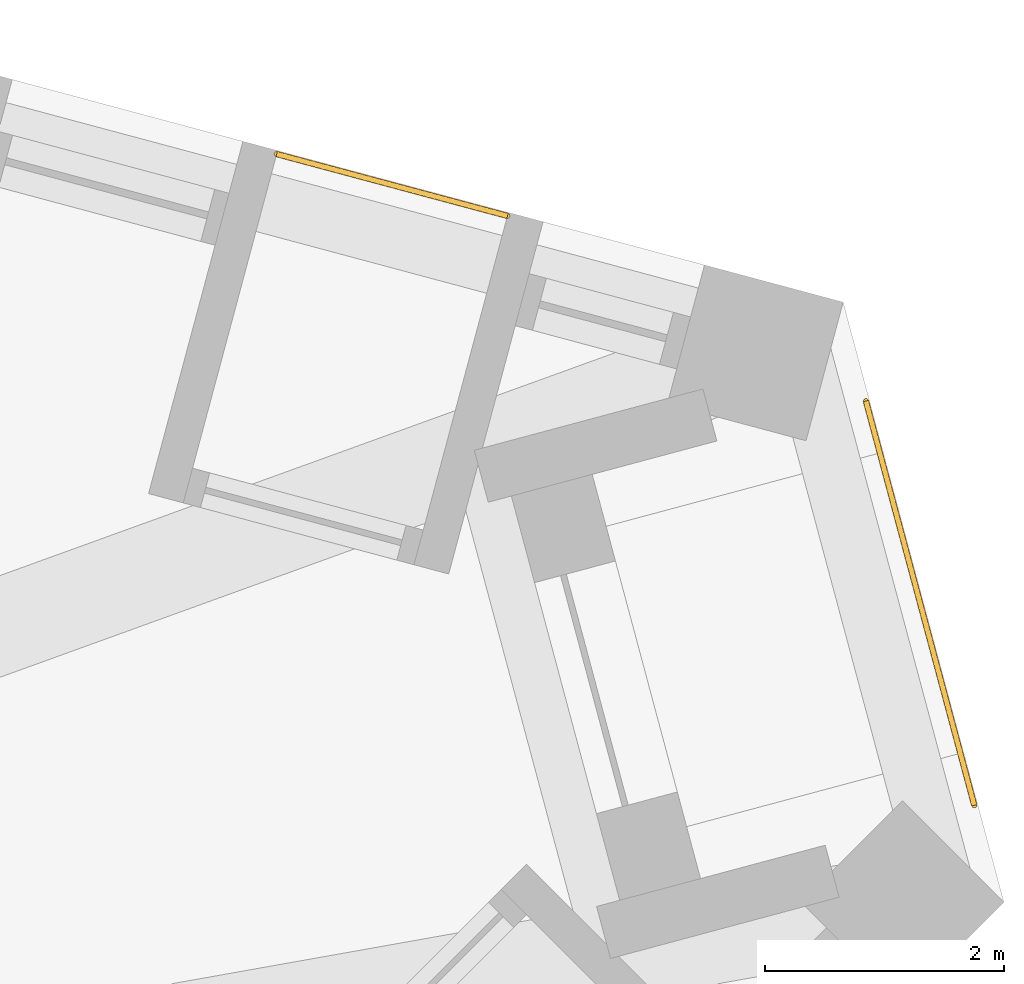
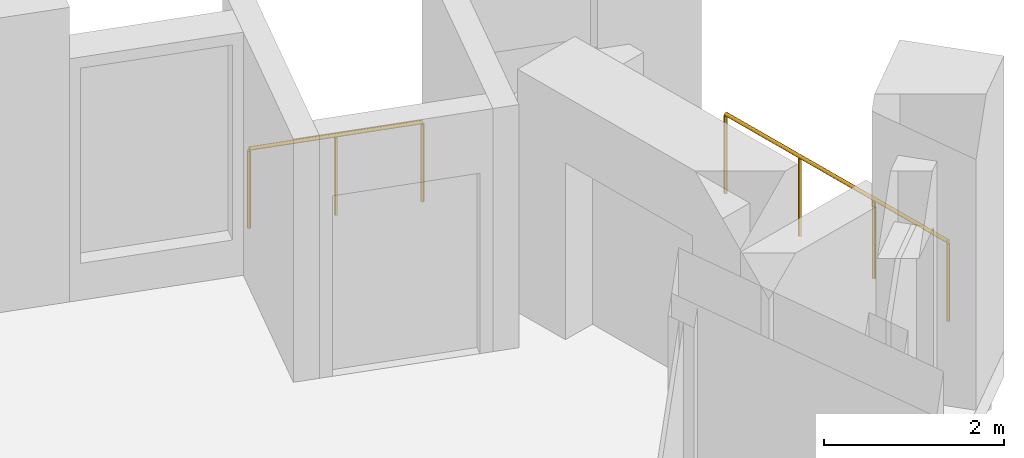
# One storey, part 13 of 13: 2 railings.
"""IFC4 building model written with IfcOpenShell, lengths in metres."""

import ifcopenshell
import ifcopenshell.guid

model = None  # the IFC model being written
_history = None  # IfcOwnerHistory: only IFC2X3 demands one
_inside = {}  # id of a spatial element -> (the spatial element, [elements in it])
_under = {}  # id of a project, library or spatial element -> (it, [spatial elements below it])
_declared = {}  # id of a project -> (the project, [libraries it declares])
_typed = {}  # id of a type object -> (the type object, [elements of that type])
_made_of = {}  # id of a material, layer set ... -> (it, [elements and type objects made of it])


def new_model(schema):
    """Start an empty IFC model of exactly this schema.

    Asked for "IFC4X3", IfcOpenShell would pick the latest addendum, in which some entities
    have other attributes; the version numbers below select the first issue.
    IFC2X3 requires an IfcOwnerHistory on every rooted entity: one is made here for all.
    """
    global model, _history
    if schema == "IFC4X3":
        model = ifcopenshell.file(schema_version=(4, 3, 0, 0))
    else:
        model = ifcopenshell.file(schema=schema)
    _inside.clear()
    _under.clear()
    _declared.clear()
    _typed.clear()
    _made_of.clear()
    _history = None
    if model.schema == "IFC2X3":
        org = make("IfcOrganization", Name="unknown")
        user = make(
            "IfcPersonAndOrganization",
            ThePerson=make("IfcPerson", FamilyName="unknown"),
            TheOrganization=org,
        )
        app = make(
            "IfcApplication",
            ApplicationDeveloper=org,
            Version="unknown",
            ApplicationFullName="unknown",
            ApplicationIdentifier="unknown",
        )
        _history = make(
            "IfcOwnerHistory",
            OwningUser=user,
            OwningApplication=app,
            ChangeAction="ADDED",
            CreationDate=0,
        )
    return model


def make(cls, **values):
    """One entity of the class cls with the attributes given. An attribute that is None is left unset."""
    return model.create_entity(
        cls, **{name: value for name, value in values.items() if value is not None}
    )


def rooted(cls, **values):
    """An entity with a GlobalId (a new one), such as an element, a storey or a relation."""
    return make(cls, GlobalId=ifcopenshell.guid.new(), OwnerHistory=_history, **values)


def si_unit(unit_type, name, prefix=None):
    """IfcSIUnit, for example si_unit("LENGTHUNIT", "METRE", prefix="MILLI")."""
    return make("IfcSIUnit", UnitType=unit_type, Prefix=prefix, Name=name)


def assignment(units):
    """IfcUnitAssignment: the units of a project."""
    return None if units is None else make("IfcUnitAssignment", Units=units)


def point(xyz):
    """IfcCartesianPoint."""
    return None if xyz is None else make("IfcCartesianPoint", Coordinates=xyz)


def direction(xyz):
    """IfcDirection."""
    return None if xyz is None else make("IfcDirection", DirectionRatios=xyz)


def frame(location, z_axis=None, x_axis=None):
    """IfcAxis2Placement3D, a coordinate frame: its origin and axes. An axis left out is left unset."""
    return make(
        "IfcAxis2Placement3D",
        Location=point(location),
        Axis=direction(z_axis),
        RefDirection=direction(x_axis),
    )


def frame_2d(location, x_axis=None):
    """IfcAxis2Placement2D, a coordinate frame in the plane: its origin and x axis."""
    return make(
        "IfcAxis2Placement2D", Location=point(location), RefDirection=direction(x_axis)
    )


def origin():
    """The frame at (0, 0, 0) with its axes left unset."""
    return frame((0.0, 0.0, 0.0))


def origin_2d():
    """The frame at (0, 0) in the plane with its x axis left unset."""
    return frame_2d((0.0, 0.0))


def place(relative_to, where):
    """IfcLocalPlacement: puts the frame where relative to a parent placement (None: the world)."""
    return make(
        "IfcLocalPlacement", PlacementRelTo=relative_to, RelativePlacement=where
    )


def context(
    kind, dimensions, precision=None, world=None, true_north=None, identifier=None
):
    """IfcGeometricRepresentationContext, for example the 3D "Model" context."""
    return make(
        "IfcGeometricRepresentationContext",
        ContextIdentifier=identifier,
        ContextType=kind,
        CoordinateSpaceDimension=dimensions,
        Precision=precision,
        WorldCoordinateSystem=world,
        TrueNorth=true_north,
    )


def subcontext(parent, identifier, kind, view, scale=None):
    """IfcGeometricRepresentationSubContext, for example "Body" below "Model"."""
    return make(
        "IfcGeometricRepresentationSubContext",
        ContextIdentifier=identifier,
        ContextType=kind,
        ParentContext=parent,
        TargetScale=scale,
        TargetView=view,
    )


def project(units=None, contexts=None):
    """IfcProject with its units and contexts."""
    return rooted(
        "IfcProject",
        Name="project",
        RepresentationContexts=contexts,
        UnitsInContext=assignment(units),
    )


def spatial(cls, under=None, at=None, **own):
    """A site, building, storey or space (cls), placed at a placement, below another one or the project."""
    s = rooted(cls, ObjectPlacement=at, **own)
    if under is not None:
        _under.setdefault(under.id(), (under, []))[1].append(s)
    return s


def profile(cls, at=None, kind="AREA", **sizes):
    """A parametric profile (cls). Its sizes go by their IFC names, for example OverallWidth=200.0."""
    return make(cls, ProfileType=kind, Position=at, **sizes)


def circle(**sizes):
    """IfcCircleProfileDef."""
    return profile("IfcCircleProfileDef", **sizes)


def extrude(swept, where, along, depth):
    """IfcExtrudedAreaSolid: the profile swept, set in the frame where, extruded along a direction by depth."""
    return make(
        "IfcExtrudedAreaSolid",
        SweptArea=swept,
        Position=where,
        ExtrudedDirection=direction(along),
        Depth=depth,
    )


def shape(context_of_items, identifier, shape_type, items):
    """IfcShapeRepresentation: the items that make up one representation, for example the "Body"."""
    return make(
        "IfcShapeRepresentation",
        ContextOfItems=context_of_items,
        RepresentationIdentifier=identifier,
        RepresentationType=shape_type,
        Items=items,
    )


def material(Name=None, Category=None):
    """IfcMaterial."""
    return make("IfcMaterial", Name=Name, Category=Category)


def made_of(thing, what):
    """Note that an element or type object is made of a material, layer set ...; save() writes the relation."""
    if what is not None:
        _made_of.setdefault(what.id(), (what, []))[1].append(thing)
    return thing


def type_object(cls, material=None, **own):
    """A type object (cls), such as IfcWallType, which elements share."""
    return made_of(rooted(cls, **own), material)


def element(
    cls,
    number,
    at=None,
    inside=None,
    cuts=None,
    type_object=None,
    material=None,
    context=None,
    identifier="Body",
    shape_type=None,
    held_by="IfcProductDefinitionShape",
    body=None,
    shapes=None,
    **own,
):
    """One element of the class cls, such as IfcWall. Its Tag is "e" and its number.

    at: its placement. inside: the storey or other place that contains it. cuts: it is an
    opening in that element (IfcRelVoidsElement). A single representation is given by context,
    identifier, shape_type and body (its items); several are given by shapes. held_by: the class
    of the entity that holds the representations. save() writes the other relations.
    """
    e = rooted(cls, Tag="e%d" % number, ObjectPlacement=at, **own)
    if body is not None:
        shapes = [shape(context, identifier, shape_type, body)]
    if shapes is not None:
        e.Representation = make(held_by, Representations=shapes)
    if inside is not None:
        _inside.setdefault(inside.id(), (inside, []))[1].append(e)
    if cuts is not None:
        rooted(
            "IfcRelVoidsElement", RelatingBuildingElement=cuts, RelatedOpeningElement=e
        )
    if type_object is not None:
        _typed.setdefault(type_object.id(), (type_object, []))[1].append(e)
    return made_of(e, material)


def aggregate(whole, parts):
    """IfcRelAggregates: a whole, such as a stair, and the parts it consists of."""
    return rooted("IfcRelAggregates", RelatingObject=whole, RelatedObjects=parts)


def save(model, path):
    """Write the relations noted so far, then the file.

    IfcRelAggregates (storeys below a building ...), IfcRelContainedInSpatialStructure (elements
    in a storey), IfcRelDefinesByType, IfcRelAssociatesMaterial and IfcRelDeclares: one each for
    every whole, place, type object, material and project.
    """
    for whole, parts in _under.values():
        aggregate(whole, parts)
    for where, things in _inside.values():
        rooted(
            "IfcRelContainedInSpatialStructure",
            RelatedElements=things,
            RelatingStructure=where,
        )
    for kind, things in _typed.values():
        rooted("IfcRelDefinesByType", RelatedObjects=things, RelatingType=kind)
    for what, things in _made_of.values():
        rooted("IfcRelAssociatesMaterial", RelatedObjects=things, RelatingMaterial=what)
    for by, libraries in _declared.values():
        rooted("IfcRelDeclares", RelatingContext=by, RelatedDefinitions=libraries)
    model.write(path)


model = new_model("IFC4")

# Units and contexts
model_context = context("Model", 3, precision=1e-05, world=origin(), true_north=direction((0.0, 1.0)))
body_context = subcontext(model_context, "Body", "Model", "MODEL_VIEW")
ifc_project = project(units=[si_unit("LENGTHUNIT", "METRE"), si_unit("AREAUNIT", "SQUARE_METRE"), si_unit("VOLUMEUNIT", "CUBIC_METRE"), si_unit("PLANEANGLEUNIT", "RADIAN"), si_unit("MASSUNIT", "GRAM", prefix="KILO")], contexts=[model_context])

# Site, building, storey
site_placement = place(None, origin())
site = spatial("IfcSite", under=ifc_project, at=site_placement, CompositionType="ELEMENT")
building_placement = place(site_placement, origin())
building = spatial("IfcBuilding", under=site, at=building_placement, Name="Tramontana Tower", CompositionType="ELEMENT")
storey_placement = place(building_placement, frame((0.0, 0.0, 216.0)))
storey = spatial("IfcBuildingStorey", under=building, at=storey_placement, Name="L50", CompositionType="ELEMENT", Elevation=216.0)

# Railings
ifc_material = material(Name="Laminated glass balustrade", Category="glass")
railing_type = type_object("IfcRailingType", Name="GD1 Loggia glass balustrade 1100", PredefinedType="BALUSTRADE", material=ifc_material)
railing_1_placement = place(storey_placement, frame((24.04931640625, 10.60693359375, 0.0)))
element("IfcRailing", 1, at=railing_1_placement, inside=storey, type_object=railing_type, Name="Loggia balustrade L50 G5S2.1", PredefinedType="BALUSTRADE", context=body_context, shape_type="SweptSolid", body=[
    extrude(circle(Radius=0.02392578125, at=origin_2d()), frame((0.0, 0.0, 1.076171875), z_axis=(-0.96593005298, 0.258803270362, 0.0), x_axis=(-0.258803270362, -0.96593005298, 0.0)), (0.0, 0.0, 1.0), 1.998046875),
    extrude(circle(Radius=0.02099609375, at=origin_2d()), origin(), (0.0, 0.0, 1.0), 1.052001953125),
    extrude(circle(Radius=0.02099609375, at=origin_2d()), frame((-0.96484375, 0.258544921875, 0.0)), (0.0, 0.0, 1.0), 1.052001953125),
    extrude(circle(Radius=0.02099609375, at=origin_2d()), frame((-1.929931640625, 0.51708984375, 0.0)), (0.0, 0.0, 1.0), 1.052001953125),
])
railing_2_placement = place(storey_placement, frame((27.046875, 9.058837890625, 0.0)))
element("IfcRailing", 2, at=railing_2_placement, inside=storey, type_object=railing_type, Name="Corner loggia balustrade L50 K52", PredefinedType="BALUSTRADE", context=body_context, shape_type="SweptSolid", body=[
    extrude(circle(Radius=0.02392578125, at=origin_2d()), frame((0.0, 0.0, 1.076171875), z_axis=(0.258865093408, -0.965913486506, 0.0), x_axis=(0.965913486506, 0.258865093408, 0.0)), (0.0, 0.0, 1.0), 3.5),
    extrude(circle(Radius=0.02099609375, at=origin_2d()), origin(), (0.0, 0.0, 1.0), 1.052001953125),
    extrude(circle(Radius=0.02099609375, at=origin_2d()), frame((0.302001953125, -1.126953125, 0.0)), (0.0, 0.0, 1.0), 1.052001953125),
    extrude(circle(Radius=0.02099609375, at=origin_2d()), frame((0.60400390625, -2.253662109375, 0.0)), (0.0, 0.0, 1.0), 1.052001953125),
    extrude(circle(Radius=0.02099609375, at=origin_2d()), frame((0.906005859375, -3.380615234375, 0.0)), (0.0, 0.0, 1.0), 1.052001953125),
])

save(model, "model.ifc")
